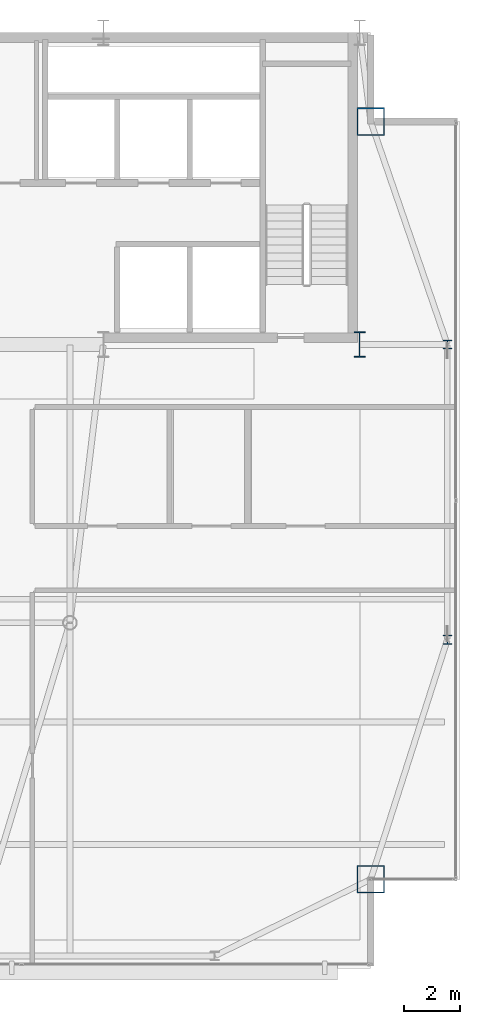
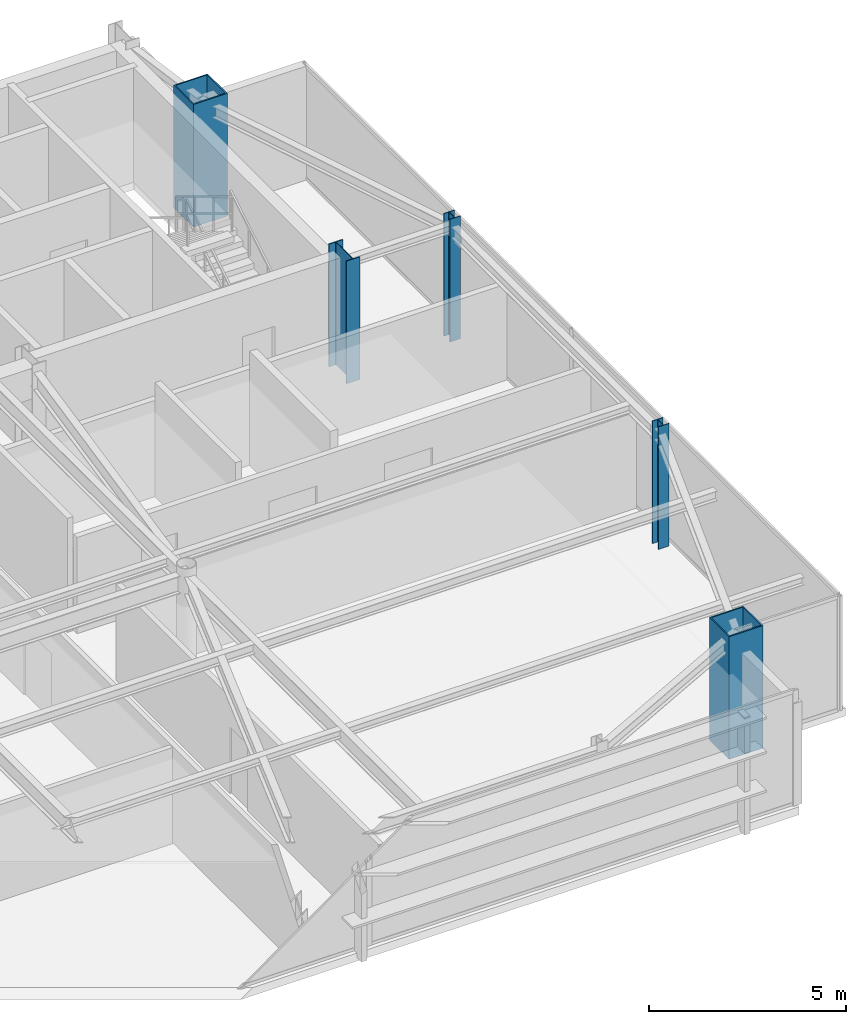
# One storey, part 2 of 24: 5 columns.
"""IFC4 building model written with IfcOpenShell, lengths in metres."""

from ifc_helpers import new_model, si_unit, direction, frame, origin, origin_2d, place, context, subcontext, project, spatial, hollow_rectangle, i_section, extrude, source, transform, mapped, material, material_profile, profile_set, type_object, type_shapes, element, save


model = new_model("IFC4")

# Units and contexts
model_context = context("Model", 3, precision=1e-05, world=origin(), true_north=direction((0.0, 1.0)))
body_context = subcontext(model_context, "Body", "Model", "MODEL_VIEW")
ifc_project = project(units=[si_unit("LENGTHUNIT", "METRE"), si_unit("AREAUNIT", "SQUARE_METRE"), si_unit("VOLUMEUNIT", "CUBIC_METRE"), si_unit("PLANEANGLEUNIT", "RADIAN"), si_unit("MASSUNIT", "GRAM", prefix="KILO")], contexts=[model_context])

# Site, building, storey
site_placement = place(None, origin())
site = spatial("IfcSite", under=ifc_project, at=site_placement, CompositionType="ELEMENT")
building_placement = place(site_placement, origin())
building = spatial("IfcBuilding", under=site, at=building_placement, Name="Varnel Quay Broadcast Tower", CompositionType="ELEMENT")
storey_placement = place(building_placement, frame((0.0, 0.0, 269.800048828125)))
storey = spatial("IfcBuildingStorey", under=building, at=storey_placement, Name="L67", CompositionType="ELEMENT", Elevation=269.800048828125)

# Columns
ifc_material_1 = material(Name="Structural Steel CSA G40.21 350WT", Category="steel")
ifc_material_profile_1 = material_profile(ifc_material_1, i_section(OverallWidth=0.39990234375, OverallDepth=0.89990234375, WebThickness=0.01611328125, FlangeThickness=0.028076171875, FilletRadius=0.01611328125, at=origin_2d()), Name="WWF900X309")
ifc_profile_set_1 = profile_set([ifc_material_profile_1], Name="Structural Steel CSA G40.21 350WT")
column_type_1 = type_object("IfcColumnType", Name="Col_WWF900X309", PredefinedType="COLUMN", material=ifc_profile_set_1)
shared_shape_1 = source(origin(), body_context, "Body", "SweptSolid", [
    extrude(i_section(OverallWidth=0.39990234375, OverallDepth=0.89990234375, WebThickness=0.01611328125, FlangeThickness=0.028076171875, FilletRadius=0.01611328125, at=origin_2d()), origin(), (0.0, 0.0, 1.0), 3.800048828125),
])
type_shapes(column_type_1, [shared_shape_1])
column_placement = place(storey_placement, frame((52.39990234375, 35.60009765625, 0.0), z_axis=(0.0, 0.0, 1.0), x_axis=(1.0, 0.0, 0.0)))
element("IfcColumn", 1, at=column_placement, inside=storey, type_object=column_type_1, Name="L67 Column CC-S5", PredefinedType="COLUMN", context=body_context, shape_type="MappedRepresentation", body=[
    mapped(shared_shape_1, transform((0.0, 0.0, 0.0), x_axis=(1.0, 0.0, 0.0), y_axis=(0.0, 1.0, 0.0), z_axis=(0.0, 0.0, 1.0), scale=1.0)),
])
ifc_material_profile_2 = material_profile(ifc_material_1, hollow_rectangle(XDim=1.0, YDim=1.0, WallThickness=0.0400390625, at=origin_2d()), Name="BOX1000X1000X40")
ifc_profile_set_2 = profile_set([ifc_material_profile_2], Name="Structural Steel CSA G40.21 350WT")
column_type_2 = type_object("IfcColumnType", Name="Col_BOX1000X1000X40", PredefinedType="COLUMN", material=ifc_profile_set_2)
shared_shape_2 = source(origin(), body_context, "Body", "SweptSolid", [
    extrude(hollow_rectangle(XDim=1.0, YDim=1.0, WallThickness=0.0400390625, at=origin_2d()), origin(), (0.0, 0.0, 1.0), 3.800048828125),
])
type_shapes(column_type_2, [shared_shape_2])
for number, where, z_axis, x_axis, name in (
    (2, (52.800048828125, 16.39990234375, 0.0), (0.0, 0.0, 1.0), (1.0, 0.0, 0.0), "L67 Column MC-SE"),
    (3, (52.800048828125, 43.60009765625, 0.0), (0.0, 0.0, 1.0), (1.0, 0.0, 0.0), "L67 Column MC-NE"),
):
    element("IfcColumn", number, at=place(storey_placement, frame(where, z_axis=z_axis, x_axis=x_axis)), inside=storey, type_object=column_type_2, Name=name, PredefinedType="COLUMN", context=body_context, shape_type="MappedRepresentation", body=[
        mapped(shared_shape_2, transform((0.0, 0.0, 0.0), x_axis=(1.0, 0.0, 0.0), y_axis=(0.0, 1.0, 0.0), z_axis=(0.0, 0.0, 1.0), scale=1.0)),
    ])
ifc_material_2 = material(Name="Structural Steel CSA G40.21 350W", Category="steel")
ifc_material_profile_3 = material_profile(ifc_material_2, i_section(OverallWidth=0.30908203125, OverallDepth=0.322998046875, WebThickness=0.013916015625, FlangeThickness=0.02294921875, FilletRadius=0.014892578125, at=origin_2d()), Name="W310X143")
ifc_profile_set_3 = profile_set([ifc_material_profile_3], Name="Structural Steel CSA G40.21 350W")
column_type_3 = type_object("IfcColumnType", Name="Col_W310X143", PredefinedType="COLUMN", material=ifc_profile_set_3)
shared_shape_3 = source(origin(), body_context, "Body", "SweptSolid", [
    extrude(i_section(OverallWidth=0.30908203125, OverallDepth=0.322998046875, WebThickness=0.013916015625, FlangeThickness=0.02294921875, FilletRadius=0.014892578125, at=origin_2d()), origin(), (0.0, 0.0, 1.0), 3.800048828125),
])
type_shapes(column_type_3, [shared_shape_3])
for number, where, z_axis, x_axis, name in (
    (4, (55.550048828125, 25.0, 0.0), (0.0, 0.0, 1.0), (1.0, 0.0, 0.0), "L67 Column TC-E1"),
    (5, (55.550048828125, 35.60009765625, 0.0), (0.0, 0.0, 1.0), (1.0, 0.0, 0.0), "L67 Column TC-E2"),
):
    element("IfcColumn", number, at=place(storey_placement, frame(where, z_axis=z_axis, x_axis=x_axis)), inside=storey, type_object=column_type_3, Name=name, PredefinedType="COLUMN", context=body_context, shape_type="MappedRepresentation", body=[
        mapped(shared_shape_3, transform((0.0, 0.0, 0.0), x_axis=(1.0, 0.0, 0.0), y_axis=(0.0, 1.0, 0.0), z_axis=(0.0, 0.0, 1.0), scale=1.0)),
    ])

save(model, "model.ifc")
